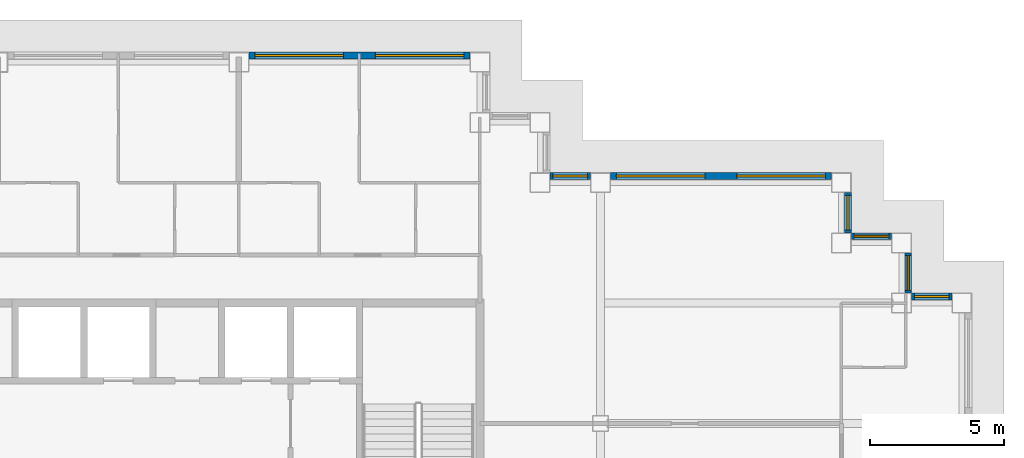
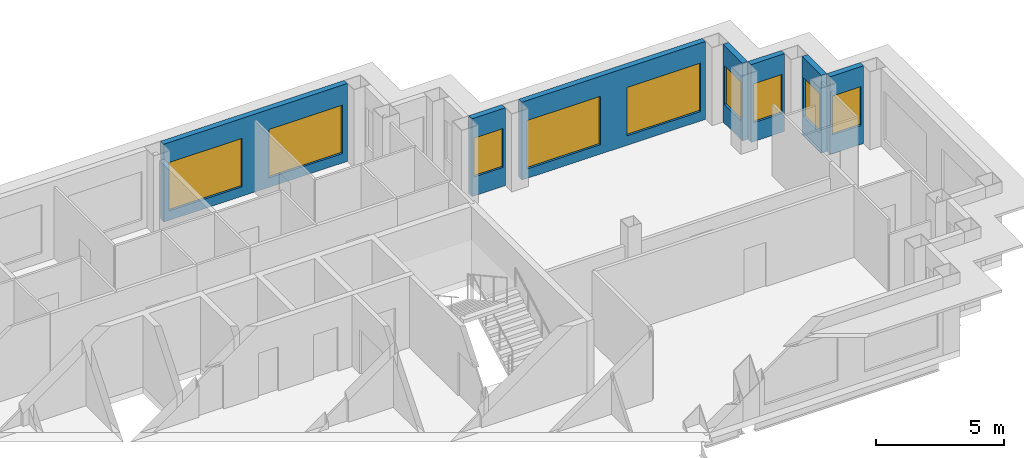
# One storey, part 9 of 13: 9 windows, 7 walls, 9 openings.
"""IFC4 building model written with IfcOpenShell, lengths in metres."""

import ifcopenshell
import ifcopenshell.guid

model = None  # the IFC model being written
_history = None  # IfcOwnerHistory: only IFC2X3 demands one
_inside = {}  # id of a spatial element -> (the spatial element, [elements in it])
_under = {}  # id of a project, library or spatial element -> (it, [spatial elements below it])
_declared = {}  # id of a project -> (the project, [libraries it declares])
_typed = {}  # id of a type object -> (the type object, [elements of that type])
_made_of = {}  # id of a material, layer set ... -> (it, [elements and type objects made of it])


def new_model(schema):
    """Start an empty IFC model of exactly this schema.

    Asked for "IFC4X3", IfcOpenShell would pick the latest addendum, in which some entities
    have other attributes; the version numbers below select the first issue.
    IFC2X3 requires an IfcOwnerHistory on every rooted entity: one is made here for all.
    """
    global model, _history
    if schema == "IFC4X3":
        model = ifcopenshell.file(schema_version=(4, 3, 0, 0))
    else:
        model = ifcopenshell.file(schema=schema)
    _inside.clear()
    _under.clear()
    _declared.clear()
    _typed.clear()
    _made_of.clear()
    _history = None
    if model.schema == "IFC2X3":
        org = make("IfcOrganization", Name="unknown")
        user = make(
            "IfcPersonAndOrganization",
            ThePerson=make("IfcPerson", FamilyName="unknown"),
            TheOrganization=org,
        )
        app = make(
            "IfcApplication",
            ApplicationDeveloper=org,
            Version="unknown",
            ApplicationFullName="unknown",
            ApplicationIdentifier="unknown",
        )
        _history = make(
            "IfcOwnerHistory",
            OwningUser=user,
            OwningApplication=app,
            ChangeAction="ADDED",
            CreationDate=0,
        )
    return model


def make(cls, **values):
    """One entity of the class cls with the attributes given. An attribute that is None is left unset."""
    return model.create_entity(
        cls, **{name: value for name, value in values.items() if value is not None}
    )


def rooted(cls, **values):
    """An entity with a GlobalId (a new one), such as an element, a storey or a relation."""
    return make(cls, GlobalId=ifcopenshell.guid.new(), OwnerHistory=_history, **values)


def si_unit(unit_type, name, prefix=None):
    """IfcSIUnit, for example si_unit("LENGTHUNIT", "METRE", prefix="MILLI")."""
    return make("IfcSIUnit", UnitType=unit_type, Prefix=prefix, Name=name)


def assignment(units):
    """IfcUnitAssignment: the units of a project."""
    return None if units is None else make("IfcUnitAssignment", Units=units)


def point(xyz):
    """IfcCartesianPoint."""
    return None if xyz is None else make("IfcCartesianPoint", Coordinates=xyz)


def direction(xyz):
    """IfcDirection."""
    return None if xyz is None else make("IfcDirection", DirectionRatios=xyz)


def frame(location, z_axis=None, x_axis=None):
    """IfcAxis2Placement3D, a coordinate frame: its origin and axes. An axis left out is left unset."""
    return make(
        "IfcAxis2Placement3D",
        Location=point(location),
        Axis=direction(z_axis),
        RefDirection=direction(x_axis),
    )


def frame_2d(location, x_axis=None):
    """IfcAxis2Placement2D, a coordinate frame in the plane: its origin and x axis."""
    return make(
        "IfcAxis2Placement2D", Location=point(location), RefDirection=direction(x_axis)
    )


def origin():
    """The frame at (0, 0, 0) with its axes left unset."""
    return frame((0.0, 0.0, 0.0))


def place(relative_to, where):
    """IfcLocalPlacement: puts the frame where relative to a parent placement (None: the world)."""
    return make(
        "IfcLocalPlacement", PlacementRelTo=relative_to, RelativePlacement=where
    )


def context(
    kind, dimensions, precision=None, world=None, true_north=None, identifier=None
):
    """IfcGeometricRepresentationContext, for example the 3D "Model" context."""
    return make(
        "IfcGeometricRepresentationContext",
        ContextIdentifier=identifier,
        ContextType=kind,
        CoordinateSpaceDimension=dimensions,
        Precision=precision,
        WorldCoordinateSystem=world,
        TrueNorth=true_north,
    )


def subcontext(parent, identifier, kind, view, scale=None):
    """IfcGeometricRepresentationSubContext, for example "Body" below "Model"."""
    return make(
        "IfcGeometricRepresentationSubContext",
        ContextIdentifier=identifier,
        ContextType=kind,
        ParentContext=parent,
        TargetScale=scale,
        TargetView=view,
    )


def project(units=None, contexts=None):
    """IfcProject with its units and contexts."""
    return rooted(
        "IfcProject",
        Name="project",
        RepresentationContexts=contexts,
        UnitsInContext=assignment(units),
    )


def spatial(cls, under=None, at=None, **own):
    """A site, building, storey or space (cls), placed at a placement, below another one or the project."""
    s = rooted(cls, ObjectPlacement=at, **own)
    if under is not None:
        _under.setdefault(under.id(), (under, []))[1].append(s)
    return s


def profile(cls, at=None, kind="AREA", **sizes):
    """A parametric profile (cls). Its sizes go by their IFC names, for example OverallWidth=200.0."""
    return make(cls, ProfileType=kind, Position=at, **sizes)


def rectangle(**sizes):
    """IfcRectangleProfileDef."""
    return profile("IfcRectangleProfileDef", **sizes)


def extrude(swept, where, along, depth):
    """IfcExtrudedAreaSolid: the profile swept, set in the frame where, extruded along a direction by depth."""
    return make(
        "IfcExtrudedAreaSolid",
        SweptArea=swept,
        Position=where,
        ExtrudedDirection=direction(along),
        Depth=depth,
    )


def shape(context_of_items, identifier, shape_type, items):
    """IfcShapeRepresentation: the items that make up one representation, for example the "Body"."""
    return make(
        "IfcShapeRepresentation",
        ContextOfItems=context_of_items,
        RepresentationIdentifier=identifier,
        RepresentationType=shape_type,
        Items=items,
    )


def material(Name=None, Category=None):
    """IfcMaterial."""
    return make("IfcMaterial", Name=Name, Category=Category)


def layer(
    of_material, thickness, ventilated=None, Name=None, Category=None, Priority=None
):
    """IfcMaterialLayer: one layer of a wall or slab, of a material (None: an air gap)."""
    return make(
        "IfcMaterialLayer",
        Material=of_material,
        LayerThickness=thickness,
        IsVentilated=ventilated,
        Name=Name,
        Category=Category,
        Priority=Priority,
    )


def layer_set(layers, Name=None):
    """IfcMaterialLayerSet."""
    return make("IfcMaterialLayerSet", MaterialLayers=layers, LayerSetName=Name)


def made_of(thing, what):
    """Note that an element or type object is made of a material, layer set ...; save() writes the relation."""
    if what is not None:
        _made_of.setdefault(what.id(), (what, []))[1].append(thing)
    return thing


def type_object(cls, material=None, **own):
    """A type object (cls), such as IfcWallType, which elements share."""
    return made_of(rooted(cls, **own), material)


def element(
    cls,
    number,
    at=None,
    inside=None,
    cuts=None,
    type_object=None,
    material=None,
    context=None,
    identifier="Body",
    shape_type=None,
    held_by="IfcProductDefinitionShape",
    body=None,
    shapes=None,
    **own,
):
    """One element of the class cls, such as IfcWall. Its Tag is "e" and its number.

    at: its placement. inside: the storey or other place that contains it. cuts: it is an
    opening in that element (IfcRelVoidsElement). A single representation is given by context,
    identifier, shape_type and body (its items); several are given by shapes. held_by: the class
    of the entity that holds the representations. save() writes the other relations.
    """
    e = rooted(cls, Tag="e%d" % number, ObjectPlacement=at, **own)
    if body is not None:
        shapes = [shape(context, identifier, shape_type, body)]
    if shapes is not None:
        e.Representation = make(held_by, Representations=shapes)
    if inside is not None:
        _inside.setdefault(inside.id(), (inside, []))[1].append(e)
    if cuts is not None:
        rooted(
            "IfcRelVoidsElement", RelatingBuildingElement=cuts, RelatedOpeningElement=e
        )
    if type_object is not None:
        _typed.setdefault(type_object.id(), (type_object, []))[1].append(e)
    return made_of(e, material)


def fill(opening, filler):
    """IfcRelFillsElement: the door or window that sits in an opening."""
    return rooted(
        "IfcRelFillsElement",
        RelatingOpeningElement=opening,
        RelatedBuildingElement=filler,
    )


def aggregate(whole, parts):
    """IfcRelAggregates: a whole, such as a stair, and the parts it consists of."""
    return rooted("IfcRelAggregates", RelatingObject=whole, RelatedObjects=parts)


def save(model, path):
    """Write the relations noted so far, then the file.

    IfcRelAggregates (storeys below a building ...), IfcRelContainedInSpatialStructure (elements
    in a storey), IfcRelDefinesByType, IfcRelAssociatesMaterial and IfcRelDeclares: one each for
    every whole, place, type object, material and project.
    """
    for whole, parts in _under.values():
        aggregate(whole, parts)
    for where, things in _inside.values():
        rooted(
            "IfcRelContainedInSpatialStructure",
            RelatedElements=things,
            RelatingStructure=where,
        )
    for kind, things in _typed.values():
        rooted("IfcRelDefinesByType", RelatedObjects=things, RelatingType=kind)
    for what, things in _made_of.values():
        rooted("IfcRelAssociatesMaterial", RelatedObjects=things, RelatingMaterial=what)
    for by, libraries in _declared.values():
        rooted("IfcRelDeclares", RelatingContext=by, RelatedDefinitions=libraries)
    model.write(path)


model = new_model("IFC4")

# Units and contexts
model_context = context("Model", 3, precision=1e-05, world=origin(), true_north=direction((0.0, 1.0)))
body_context = subcontext(model_context, "Body", "Model", "MODEL_VIEW")
ifc_project = project(units=[si_unit("LENGTHUNIT", "METRE"), si_unit("AREAUNIT", "SQUARE_METRE"), si_unit("VOLUMEUNIT", "CUBIC_METRE"), si_unit("PLANEANGLEUNIT", "RADIAN"), si_unit("MASSUNIT", "GRAM", prefix="KILO")], contexts=[model_context])

# Site, building, storey
site_placement = place(None, origin())
site = spatial("IfcSite", under=ifc_project, at=site_placement, CompositionType="ELEMENT")
building_placement = place(site_placement, origin())
building = spatial("IfcBuilding", under=site, at=building_placement, Name="Caravel Reach Hotel and Residences", CompositionType="ELEMENT")
storey_placement = place(building_placement, frame((0.0, 0.0, 169.10009765625)))
storey = spatial("IfcBuildingStorey", under=building, at=storey_placement, Name="L42", CompositionType="ELEMENT", Elevation=169.10009765625)

# Wall, opening, window
ifc_material_1 = material(Name="Insulated rainscreen wall, aluminium cladding", Category="aluminium")
ifc_layer = layer(ifc_material_1, 0.25)
ifc_layer_set = layer_set([ifc_layer], Name="EW1 Tower rainscreen wall")
wall_type = type_object("IfcWallType", Name="EW1 Tower rainscreen wall", PredefinedType="SOLIDWALL", material=ifc_layer_set)
wall_1_placement = place(storey_placement, frame((62.625, 31.75, 0.0), z_axis=(0.0, 0.0, 1.0), x_axis=(-1.0, 0.0, 0.0)))
wall_1 = element("IfcWall", 1, at=wall_1_placement, inside=storey, type_object=wall_type, Name="External wall L42 N21.1", PredefinedType="SOLIDWALL", context=body_context, shape_type="SweptSolid", body=[
    extrude(rectangle(XDim=1.5, YDim=0.25, at=frame_2d((0.75, 0.0))), origin(), (0.0, 0.0, 1.0), 3.699951171875),
])
opening_1_placement = place(wall_1_placement, frame((0.10009765625, 0.0, 0.89990234375)))
opening_1 = element("IfcOpeningElement", 2, at=opening_1_placement, cuts=wall_1, Name="Opening WN16", PredefinedType="OPENING", context=body_context, shape_type="SweptSolid", body=[
    extrude(rectangle(XDim=1.300048828125, YDim=1.85009765625, at=frame_2d((0.64990234375, 0.925048828125))), frame((0.0, 0.135009765625, 0.0), z_axis=(0.0, -1.0, 0.0), x_axis=(1.0, 0.0, 0.0)), (0.0, 0.0, 1.0), 0.27001953125),
])
ifc_material_2 = material(Name="Dark low-e glazing in black aluminium frame", Category="aluminium")
window_type_1 = type_object("IfcWindowType", Name="Residence bedroom window 1300 x 1850", PartitioningType="SINGLE_PANEL", PredefinedType="WINDOW", material=ifc_material_2)
window_1_placement = place(opening_1_placement, origin())
window_1 = element("IfcWindow", 3, at=window_1_placement, inside=storey, type_object=window_type_1, Name="Window L42 N21.1.1", OverallHeight=1.85009765625, OverallWidth=1.300048828125, PartitioningType="SINGLE_PANEL", PredefinedType="WINDOW", context=body_context, shape_type="SweptSolid", body=[
    extrude(rectangle(XDim=1.300048828125, YDim=1.85009765625, at=frame_2d((0.64990234375, 0.925048828125))), frame((0.0, 0.030029296875, 0.0), z_axis=(0.0, -1.0, 0.0), x_axis=(1.0, 0.0, 0.0)), (0.0, 0.0, 1.0), 0.06005859375),
])
fill(opening_1, window_1)

wall_2_placement = place(storey_placement, frame((61.0, 31.875, 0.0), z_axis=(0.0, 0.0, 1.0), x_axis=(0.0, 1.0, 0.0)))
wall_2 = element("IfcWall", 4, at=wall_2_placement, inside=storey, type_object=wall_type, Name="External wall L42 E22.1", PredefinedType="SOLIDWALL", context=body_context, shape_type="SweptSolid", body=[
    extrude(rectangle(XDim=1.5, YDim=0.25, at=frame_2d((0.75, 0.0))), origin(), (0.0, 0.0, 1.0), 3.699951171875),
])
opening_2_placement = place(wall_2_placement, frame((0.10009765625, 0.0, 0.89990234375)))
opening_2 = element("IfcOpeningElement", 5, at=opening_2_placement, cuts=wall_2, Name="Opening WN16", PredefinedType="OPENING", context=body_context, shape_type="SweptSolid", body=[
    extrude(rectangle(XDim=1.300048828125, YDim=1.85009765625, at=frame_2d((0.64990234375, 0.925048828125))), frame((0.0, 0.135009765625, 0.0), z_axis=(0.0, -1.0, 0.0), x_axis=(1.0, 0.0, 0.0)), (0.0, 0.0, 1.0), 0.27001953125),
])
window_2_placement = place(opening_2_placement, origin())
window_2 = element("IfcWindow", 6, at=window_2_placement, inside=storey, type_object=window_type_1, Name="Window L42 E22.1.1", OverallHeight=1.85009765625, OverallWidth=1.300048828125, PartitioningType="SINGLE_PANEL", PredefinedType="WINDOW", context=body_context, shape_type="SweptSolid", body=[
    extrude(rectangle(XDim=1.300048828125, YDim=1.85009765625, at=frame_2d((0.64990234375, 0.925048828125))), frame((0.0, 0.030029296875, 0.0), z_axis=(0.0, -1.0, 0.0), x_axis=(1.0, 0.0, 0.0)), (0.0, 0.0, 1.0), 0.06005859375),
])
fill(opening_2, window_2)

wall_3_placement = place(storey_placement, frame((60.375, 34.0, 0.0), z_axis=(0.0, 0.0, 1.0), x_axis=(-1.0, 0.0, 0.0)))
wall_3 = element("IfcWall", 7, at=wall_3_placement, inside=storey, type_object=wall_type, Name="External wall L42 N23.1", PredefinedType="SOLIDWALL", context=body_context, shape_type="SweptSolid", body=[
    extrude(rectangle(XDim=1.5, YDim=0.25, at=frame_2d((0.75, 0.0))), origin(), (0.0, 0.0, 1.0), 3.699951171875),
])
opening_3_placement = place(wall_3_placement, frame((0.10009765625, 0.0, 0.89990234375)))
opening_3 = element("IfcOpeningElement", 8, at=opening_3_placement, cuts=wall_3, Name="Opening WN16", PredefinedType="OPENING", context=body_context, shape_type="SweptSolid", body=[
    extrude(rectangle(XDim=1.300048828125, YDim=1.85009765625, at=frame_2d((0.64990234375, 0.925048828125))), frame((0.0, 0.135009765625, 0.0), z_axis=(0.0, -1.0, 0.0), x_axis=(1.0, 0.0, 0.0)), (0.0, 0.0, 1.0), 0.27001953125),
])
window_3_placement = place(opening_3_placement, origin())
window_3 = element("IfcWindow", 9, at=window_3_placement, inside=storey, type_object=window_type_1, Name="Window L42 N23.1.1", OverallHeight=1.85009765625, OverallWidth=1.300048828125, PartitioningType="SINGLE_PANEL", PredefinedType="WINDOW", context=body_context, shape_type="SweptSolid", body=[
    extrude(rectangle(XDim=1.300048828125, YDim=1.85009765625, at=frame_2d((0.64990234375, 0.925048828125))), frame((0.0, 0.030029296875, 0.0), z_axis=(0.0, -1.0, 0.0), x_axis=(1.0, 0.0, 0.0)), (0.0, 0.0, 1.0), 0.06005859375),
])
fill(opening_3, window_3)

wall_4_placement = place(storey_placement, frame((58.75, 34.125, 0.0), z_axis=(0.0, 0.0, 1.0), x_axis=(0.0, 1.0, 0.0)))
wall_4 = element("IfcWall", 10, at=wall_4_placement, inside=storey, type_object=wall_type, Name="External wall L42 E24.1", PredefinedType="SOLIDWALL", context=body_context, shape_type="SweptSolid", body=[
    extrude(rectangle(XDim=1.5, YDim=0.25, at=frame_2d((0.75, 0.0))), origin(), (0.0, 0.0, 1.0), 3.699951171875),
])
opening_4_placement = place(wall_4_placement, frame((0.10009765625, 0.0, 0.89990234375)))
opening_4 = element("IfcOpeningElement", 11, at=opening_4_placement, cuts=wall_4, Name="Opening WN16", PredefinedType="OPENING", context=body_context, shape_type="SweptSolid", body=[
    extrude(rectangle(XDim=1.300048828125, YDim=1.85009765625, at=frame_2d((0.64990234375, 0.925048828125))), frame((0.0, 0.135009765625, 0.0), z_axis=(0.0, -1.0, 0.0), x_axis=(1.0, 0.0, 0.0)), (0.0, 0.0, 1.0), 0.27001953125),
])
window_4_placement = place(opening_4_placement, origin())
window_4 = element("IfcWindow", 12, at=window_4_placement, inside=storey, type_object=window_type_1, Name="Window L42 E24.1.1", OverallHeight=1.85009765625, OverallWidth=1.300048828125, PartitioningType="SINGLE_PANEL", PredefinedType="WINDOW", context=body_context, shape_type="SweptSolid", body=[
    extrude(rectangle(XDim=1.300048828125, YDim=1.85009765625, at=frame_2d((0.64990234375, 0.925048828125))), frame((0.0, 0.030029296875, 0.0), z_axis=(0.0, -1.0, 0.0), x_axis=(1.0, 0.0, 0.0)), (0.0, 0.0, 1.0), 0.06005859375),
])
fill(opening_4, window_4)

# Wall, openings, windows
wall_5_placement = place(storey_placement, frame((58.125, 36.25, 0.0), z_axis=(0.0, 0.0, 1.0), x_axis=(-1.0, 0.0, 0.0)))
wall_5 = element("IfcWall", 13, at=wall_5_placement, inside=storey, type_object=wall_type, Name="External wall L42 N25.1", PredefinedType="SOLIDWALL", context=body_context, shape_type="SweptSolid", body=[
    extrude(rectangle(XDim=8.25, YDim=0.25, at=frame_2d((4.125, 0.0))), origin(), (0.0, 0.0, 1.0), 3.699951171875),
])
opening_5_placement = place(wall_5_placement, frame((0.22509765625, 0.0, 0.449951171875)))
opening_5 = element("IfcOpeningElement", 14, at=opening_5_placement, cuts=wall_5, Name="Opening WN15", PredefinedType="OPENING", context=body_context, shape_type="SweptSolid", body=[
    extrude(rectangle(XDim=3.300048828125, YDim=2.300048828125, at=frame_2d((1.64990234375, 1.14990234375))), frame((0.0, 0.135009765625, 0.0), z_axis=(0.0, -1.0, 0.0), x_axis=(1.0, 0.0, 0.0)), (0.0, 0.0, 1.0), 0.27001953125),
])
opening_6_placement = place(wall_5_placement, frame((4.72509765625, 0.0, 0.449951171875)))
opening_6 = element("IfcOpeningElement", 15, at=opening_6_placement, cuts=wall_5, Name="Opening WN15", PredefinedType="OPENING", context=body_context, shape_type="SweptSolid", body=[
    extrude(rectangle(XDim=3.300048828125, YDim=2.300048828125, at=frame_2d((1.64990234375, 1.14990234375))), frame((0.0, 0.135009765625, 0.0), z_axis=(0.0, -1.0, 0.0), x_axis=(1.0, 0.0, 0.0)), (0.0, 0.0, 1.0), 0.27001953125),
])
ifc_material_3 = material(Name="Dark low-e glazing in black aluminium frame", Category="aluminium")
window_type_2 = type_object("IfcWindowType", Name="Residence living window 3300 x 2300", PartitioningType="SINGLE_PANEL", PredefinedType="WINDOW", material=ifc_material_3)
window_5_placement = place(opening_5_placement, origin())
window_5 = element("IfcWindow", 16, at=window_5_placement, inside=storey, type_object=window_type_2, Name="Window L42 N25.1.1", OverallHeight=2.300048828125, OverallWidth=3.300048828125, PartitioningType="SINGLE_PANEL", PredefinedType="WINDOW", context=body_context, shape_type="SweptSolid", body=[
    extrude(rectangle(XDim=3.300048828125, YDim=2.300048828125, at=frame_2d((1.64990234375, 1.14990234375))), frame((0.0, 0.030029296875, 0.0), z_axis=(0.0, -1.0, 0.0), x_axis=(1.0, 0.0, 0.0)), (0.0, 0.0, 1.0), 0.06005859375),
])
fill(opening_5, window_5)
window_6_placement = place(opening_6_placement, origin())
window_6 = element("IfcWindow", 17, at=window_6_placement, inside=storey, type_object=window_type_2, Name="Window L42 N25.1.2", OverallHeight=2.300048828125, OverallWidth=3.300048828125, PartitioningType="SINGLE_PANEL", PredefinedType="WINDOW", context=body_context, shape_type="SweptSolid", body=[
    extrude(rectangle(XDim=3.300048828125, YDim=2.300048828125, at=frame_2d((1.64990234375, 1.14990234375))), frame((0.0, 0.030029296875, 0.0), z_axis=(0.0, -1.0, 0.0), x_axis=(1.0, 0.0, 0.0)), (0.0, 0.0, 1.0), 0.06005859375),
])
fill(opening_6, window_6)

# Wall, opening, window
wall_6_placement = place(storey_placement, frame((49.125, 36.25, 0.0), z_axis=(0.0, 0.0, 1.0), x_axis=(-1.0, 0.0, 0.0)))
wall_6 = element("IfcWall", 18, at=wall_6_placement, inside=storey, type_object=wall_type, Name="External wall L42 N25.2", PredefinedType="SOLIDWALL", context=body_context, shape_type="SweptSolid", body=[
    extrude(rectangle(XDim=1.5, YDim=0.25, at=frame_2d((0.75, 0.0))), origin(), (0.0, 0.0, 1.0), 3.699951171875),
])
opening_7_placement = place(wall_6_placement, frame((0.10009765625, 0.0, 0.89990234375)))
opening_7 = element("IfcOpeningElement", 19, at=opening_7_placement, cuts=wall_6, Name="Opening WN16", PredefinedType="OPENING", context=body_context, shape_type="SweptSolid", body=[
    extrude(rectangle(XDim=1.300048828125, YDim=1.85009765625, at=frame_2d((0.64990234375, 0.925048828125))), frame((0.0, 0.135009765625, 0.0), z_axis=(0.0, -1.0, 0.0), x_axis=(1.0, 0.0, 0.0)), (0.0, 0.0, 1.0), 0.27001953125),
])
window_7_placement = place(opening_7_placement, origin())
window_7 = element("IfcWindow", 20, at=window_7_placement, inside=storey, type_object=window_type_1, Name="Window L42 N25.2.1", OverallHeight=1.85009765625, OverallWidth=1.300048828125, PartitioningType="SINGLE_PANEL", PredefinedType="WINDOW", context=body_context, shape_type="SweptSolid", body=[
    extrude(rectangle(XDim=1.300048828125, YDim=1.85009765625, at=frame_2d((0.64990234375, 0.925048828125))), frame((0.0, 0.030029296875, 0.0), z_axis=(0.0, -1.0, 0.0), x_axis=(1.0, 0.0, 0.0)), (0.0, 0.0, 1.0), 0.06005859375),
])
fill(opening_7, window_7)

# Wall, openings, windows
wall_7_placement = place(storey_placement, frame((44.625, 40.75, 0.0), z_axis=(0.0, 0.0, 1.0), x_axis=(-1.0, 0.0, 0.0)))
wall_7 = element("IfcWall", 21, at=wall_7_placement, inside=storey, type_object=wall_type, Name="External wall L42 N29.1", PredefinedType="SOLIDWALL", context=body_context, shape_type="SweptSolid", body=[
    extrude(rectangle(XDim=8.25, YDim=0.25, at=frame_2d((4.125, 0.0))), origin(), (0.0, 0.0, 1.0), 3.699951171875),
])
opening_8_placement = place(wall_7_placement, frame((0.22509765625, 0.0, 0.449951171875)))
opening_8 = element("IfcOpeningElement", 22, at=opening_8_placement, cuts=wall_7, Name="Opening WN15", PredefinedType="OPENING", context=body_context, shape_type="SweptSolid", body=[
    extrude(rectangle(XDim=3.300048828125, YDim=2.300048828125, at=frame_2d((1.64990234375, 1.14990234375))), frame((0.0, 0.135009765625, 0.0), z_axis=(0.0, -1.0, 0.0), x_axis=(1.0, 0.0, 0.0)), (0.0, 0.0, 1.0), 0.27001953125),
])
opening_9_placement = place(wall_7_placement, frame((4.72509765625, 0.0, 0.449951171875)))
opening_9 = element("IfcOpeningElement", 23, at=opening_9_placement, cuts=wall_7, Name="Opening WN15", PredefinedType="OPENING", context=body_context, shape_type="SweptSolid", body=[
    extrude(rectangle(XDim=3.300048828125, YDim=2.300048828125, at=frame_2d((1.64990234375, 1.14990234375))), frame((0.0, 0.135009765625, 0.0), z_axis=(0.0, -1.0, 0.0), x_axis=(1.0, 0.0, 0.0)), (0.0, 0.0, 1.0), 0.27001953125),
])
window_8_placement = place(opening_8_placement, origin())
window_8 = element("IfcWindow", 24, at=window_8_placement, inside=storey, type_object=window_type_2, Name="Window L42 N29.1.1", OverallHeight=2.300048828125, OverallWidth=3.300048828125, PartitioningType="SINGLE_PANEL", PredefinedType="WINDOW", context=body_context, shape_type="SweptSolid", body=[
    extrude(rectangle(XDim=3.300048828125, YDim=2.300048828125, at=frame_2d((1.64990234375, 1.14990234375))), frame((0.0, 0.030029296875, 0.0), z_axis=(0.0, -1.0, 0.0), x_axis=(1.0, 0.0, 0.0)), (0.0, 0.0, 1.0), 0.06005859375),
])
fill(opening_8, window_8)
window_9_placement = place(opening_9_placement, origin())
window_9 = element("IfcWindow", 25, at=window_9_placement, inside=storey, type_object=window_type_2, Name="Window L42 N29.1.2", OverallHeight=2.300048828125, OverallWidth=3.300048828125, PartitioningType="SINGLE_PANEL", PredefinedType="WINDOW", context=body_context, shape_type="SweptSolid", body=[
    extrude(rectangle(XDim=3.300048828125, YDim=2.300048828125, at=frame_2d((1.64990234375, 1.14990234375))), frame((0.0, 0.030029296875, 0.0), z_axis=(0.0, -1.0, 0.0), x_axis=(1.0, 0.0, 0.0)), (0.0, 0.0, 1.0), 0.06005859375),
])
fill(opening_9, window_9)

save(model, "model.ifc")
